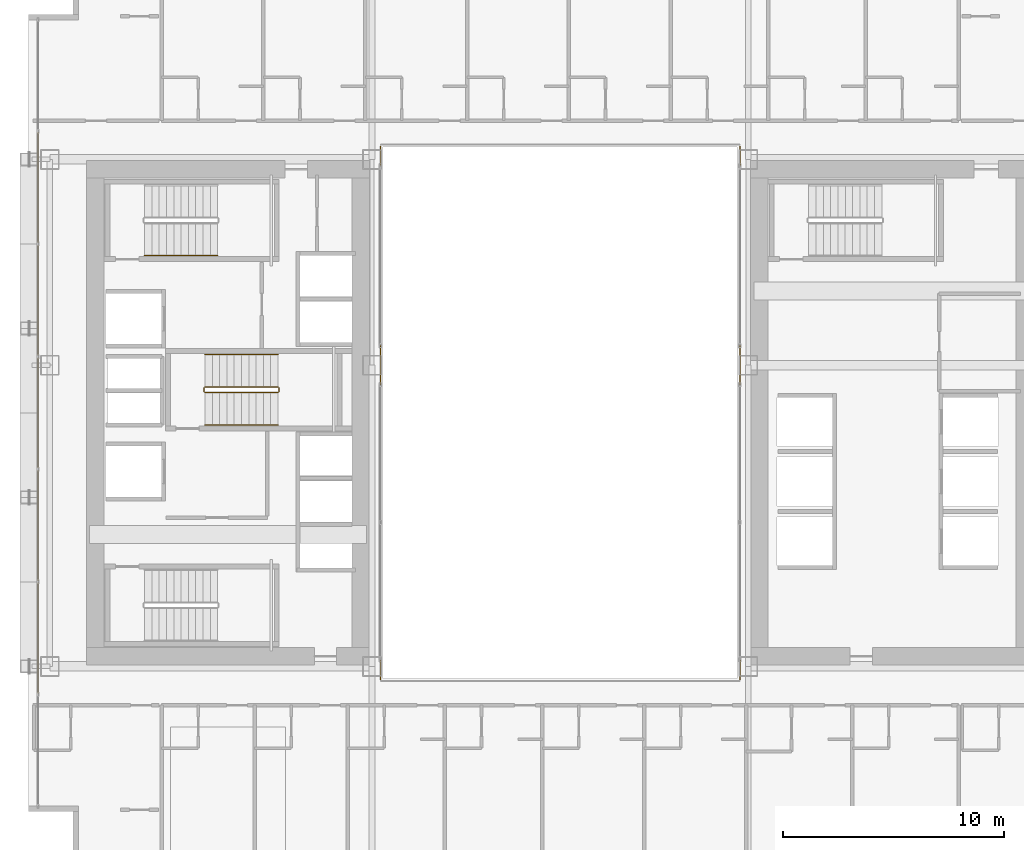
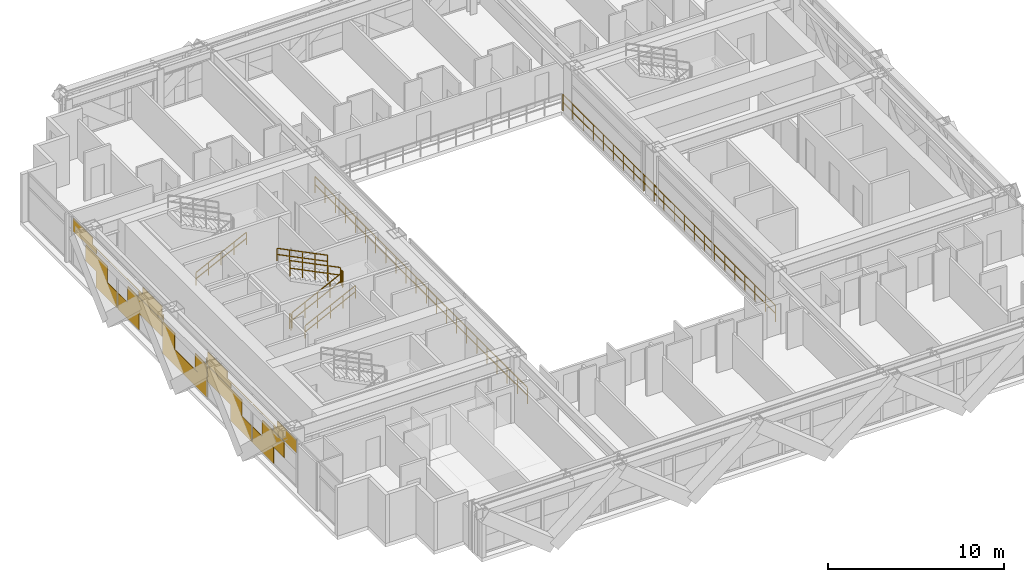
# One storey, part 39 of 41: 9 railings, 1 covering.
"""IFC4 building model written with IfcOpenShell, lengths in metres."""

from ifc_helpers import new_model, si_unit, direction, frame, origin, origin_2d, place, context, subcontext, project, spatial, rectangle, extrude, material, layer, layer_set, type_object, element, save


model = new_model("IFC4")

# Units and contexts
model_context = context("Model", 3, precision=1e-05, world=origin(), true_north=direction((0.0, 1.0)))
body_context = subcontext(model_context, "Body", "Model", "MODEL_VIEW")
ifc_project = project(units=[si_unit("LENGTHUNIT", "METRE"), si_unit("AREAUNIT", "SQUARE_METRE"), si_unit("VOLUMEUNIT", "CUBIC_METRE"), si_unit("PLANEANGLEUNIT", "RADIAN"), si_unit("MASSUNIT", "GRAM", prefix="KILO")], contexts=[model_context])

# Site, building, storey
site_placement = place(None, origin())
site = spatial("IfcSite", under=ifc_project, at=site_placement, CompositionType="ELEMENT")
building_placement = place(site_placement, origin())
building = spatial("IfcBuilding", under=site, at=building_placement, Name="Ocotamira Hotel", CompositionType="ELEMENT")
storey_placement = place(building_placement, frame((0.0, 0.0, 38.39990234375)))
storey = spatial("IfcBuildingStorey", under=building, at=storey_placement, Name="L08", CompositionType="ELEMENT", Elevation=38.39990234375)

# Covering
ifc_material_1 = material(Name="Insulated pale-metal aluminium spandrel panel", Category="aluminium")
ifc_layer = layer(ifc_material_1, 0.044921875)
ifc_layer_set = layer_set([ifc_layer], Name="Insulated pale-metal aluminium spandrel panel")
covering_type = type_object("IfcCoveringType", Name="COV-INFILL-45", PredefinedType="CLADDING", material=ifc_layer_set)
covering_placement = place(storey_placement, origin())
element("IfcCovering", 1, at=covering_placement, inside=storey, type_object=covering_type, Name="L08 Curtain Wall Infill CW-2 CW-L08-W", PredefinedType="CLADDING", context=body_context, shape_type="SweptSolid", body=[
    extrude(rectangle(XDim=2.49658203125, YDim=0.044921875, at=origin_2d()), frame((8.419921875, 15.977783203125, 1.1943359375), z_axis=(0.0, 0.0, 1.0), x_axis=(0.0, 1.0, 0.0)), (0.0, 0.0, 1.0), 1.11767578125),
    extrude(rectangle(XDim=2.415283203125, YDim=0.044921875, at=origin_2d()), frame((8.419921875, 17.123291015625, 0.07568359375), z_axis=(0.0, 0.0, 1.0), x_axis=(0.0, 1.0, 0.0)), (0.0, 0.0, 1.0), 1.11767578125),
    extrude(rectangle(XDim=2.634521484375, YDim=0.044921875, at=origin_2d()), frame((8.419921875, 14.6435546875, 2.38818359375), z_axis=(0.0, 0.0, 1.0), x_axis=(0.0, 1.0, 0.0)), (0.0, 0.0, 1.0), 0.366943359375),
    extrude(rectangle(XDim=5.004638671875, YDim=0.044921875, at=origin_2d()), frame((8.419921875, 15.82861328125, 2.756103515625), z_axis=(0.0, 0.0, 1.0), x_axis=(0.0, 1.0, 0.0)), (0.0, 0.0, 1.0), 0.033203125),
    extrude(rectangle(XDim=2.2080078125, YDim=0.044921875, at=origin_2d()), frame((8.419921875, 14.43017578125, 2.79052734375), z_axis=(0.0, 0.0, 1.0), x_axis=(0.0, 1.0, 0.0)), (0.0, 0.0, 1.0), 0.484130859375),
    extrude(rectangle(XDim=2.40576171875, YDim=0.044921875, at=origin_2d()), frame((8.419921875, 19.61474609375, 0.07568359375), z_axis=(0.0, 0.0, 1.0), x_axis=(0.0, 1.0, 0.0)), (0.0, 0.0, 1.0), 1.11767578125),
    extrude(rectangle(XDim=3.90966796875, YDim=0.044921875, at=origin_2d()), frame((8.419921875, 21.4619140625, 1.1943359375), z_axis=(0.0, 0.0, 1.0), x_axis=(0.0, 1.0, 0.0)), (0.0, 0.0, 1.0), 1.11767578125),
    extrude(rectangle(XDim=5.004638671875, YDim=0.044921875, at=origin_2d()), frame((8.419921875, 20.914306640625, 2.756103515625), z_axis=(0.0, 0.0, 1.0), x_axis=(0.0, 1.0, 0.0)), (0.0, 0.0, 1.0), 0.033203125),
    extrude(rectangle(XDim=2.64404296875, YDim=0.044921875, at=origin_2d()), frame((8.419921875, 22.094482421875, 2.38818359375), z_axis=(0.0, 0.0, 1.0), x_axis=(0.0, 1.0, 0.0)), (0.0, 0.0, 1.0), 0.366943359375),
    extrude(rectangle(XDim=2.217529296875, YDim=0.044921875, at=origin_2d()), frame((8.419921875, 22.307861328125, 2.79052734375), z_axis=(0.0, 0.0, 1.0), x_axis=(0.0, 1.0, 0.0)), (0.0, 0.0, 1.0), 0.484130859375),
    extrude(rectangle(XDim=5.004638671875, YDim=0.044921875, at=origin_2d()), frame((8.419921875, 26.0, 0.07568359375), z_axis=(0.0, 0.0, 1.0), x_axis=(0.0, 1.0, 0.0)), (0.0, 0.0, 1.0), 1.11767578125),
    extrude(rectangle(XDim=1.362060546875, YDim=0.044921875, at=origin_2d()), frame((8.419921875, 24.1787109375, 1.1943359375), z_axis=(0.0, 0.0, 1.0), x_axis=(0.0, 1.0, 0.0)), (0.0, 0.0, 1.0), 1.11767578125),
    extrude(rectangle(XDim=1.362060546875, YDim=0.044921875, at=origin_2d()), frame((8.419921875, 27.8212890625, 1.1943359375), z_axis=(0.0, 0.0, 1.0), x_axis=(0.0, 1.0, 0.0)), (0.0, 0.0, 1.0), 1.11767578125),
    extrude(rectangle(XDim=0.096435546875, YDim=0.044921875, at=origin_2d()), frame((8.419921875, 23.5458984375, 2.387939453125), z_axis=(0.0, 0.0, 1.0), x_axis=(0.0, 1.0, 0.0)), (0.0, 0.0, 1.0), 0.4013671875),
    extrude(rectangle(XDim=0.096435546875, YDim=0.044921875, at=origin_2d()), frame((8.419921875, 28.4541015625, 2.387939453125), z_axis=(0.0, 0.0, 1.0), x_axis=(0.0, 1.0, 0.0)), (0.0, 0.0, 1.0), 0.4013671875),
    extrude(rectangle(XDim=3.90966796875, YDim=0.044921875, at=origin_2d()), frame((8.419921875, 30.5380859375, 1.1943359375), z_axis=(0.0, 0.0, 1.0), x_axis=(0.0, 1.0, 0.0)), (0.0, 0.0, 1.0), 1.11767578125),
    extrude(rectangle(XDim=2.40576171875, YDim=0.044921875, at=origin_2d()), frame((8.419921875, 32.38525390625, 0.07568359375), z_axis=(0.0, 0.0, 1.0), x_axis=(0.0, 1.0, 0.0)), (0.0, 0.0, 1.0), 1.11767578125),
    extrude(rectangle(XDim=2.64404296875, YDim=0.044921875, at=origin_2d()), frame((8.419921875, 29.905517578125, 2.38818359375), z_axis=(0.0, 0.0, 1.0), x_axis=(0.0, 1.0, 0.0)), (0.0, 0.0, 1.0), 0.366943359375),
    extrude(rectangle(XDim=5.004638671875, YDim=0.044921875, at=origin_2d()), frame((8.419921875, 31.085693359375, 2.756103515625), z_axis=(0.0, 0.0, 1.0), x_axis=(0.0, 1.0, 0.0)), (0.0, 0.0, 1.0), 0.033203125),
    extrude(rectangle(XDim=2.217529296875, YDim=0.044921875, at=origin_2d()), frame((8.419921875, 29.692138671875, 2.79052734375), z_axis=(0.0, 0.0, 1.0), x_axis=(0.0, 1.0, 0.0)), (0.0, 0.0, 1.0), 0.484130859375),
    extrude(rectangle(XDim=2.415283203125, YDim=0.044921875, at=origin_2d()), frame((8.419921875, 34.876708984375, 0.07568359375), z_axis=(0.0, 0.0, 1.0), x_axis=(0.0, 1.0, 0.0)), (0.0, 0.0, 1.0), 1.11767578125),
    extrude(rectangle(XDim=2.49658203125, YDim=0.044921875, at=origin_2d()), frame((8.419921875, 36.022216796875, 1.1943359375), z_axis=(0.0, 0.0, 1.0), x_axis=(0.0, 1.0, 0.0)), (0.0, 0.0, 1.0), 1.11767578125),
    extrude(rectangle(XDim=5.004638671875, YDim=0.044921875, at=origin_2d()), frame((8.419921875, 36.17138671875, 2.756103515625), z_axis=(0.0, 0.0, 1.0), x_axis=(0.0, 1.0, 0.0)), (0.0, 0.0, 1.0), 0.033203125),
    extrude(rectangle(XDim=2.634521484375, YDim=0.044921875, at=origin_2d()), frame((8.419921875, 37.3564453125, 2.38818359375), z_axis=(0.0, 0.0, 1.0), x_axis=(0.0, 1.0, 0.0)), (0.0, 0.0, 1.0), 0.366943359375),
    extrude(rectangle(XDim=2.2080078125, YDim=0.044921875, at=origin_2d()), frame((8.419921875, 37.56982421875, 2.79052734375), z_axis=(0.0, 0.0, 1.0), x_axis=(0.0, 1.0, 0.0)), (0.0, 0.0, 1.0), 0.484130859375),
])

# Railings
ifc_material_2 = material(Name="Painted steel stair guardrail", Category="steel")
railing_type_1 = type_object("IfcRailingType", Name="RL-EDGE-1150", PredefinedType="GUARDRAIL", material=ifc_material_2)
railing_1_placement = place(storey_placement, frame((40.1201171875, 13.9599609375, 0.0)))
element("IfcRailing", 2, at=railing_1_placement, inside=storey, type_object=railing_type_1, Name="L08 Central Atrium Edge Guardrail E", PredefinedType="GUARDRAIL", context=body_context, shape_type="SweptSolid", body=[
    extrude(rectangle(XDim=0.048095703125, YDim=0.048095703125, at=origin_2d()), frame((0.0, 0.0, 1.1259765625), z_axis=(0.0, 1.0, 0.0), x_axis=(-1.0, 0.0, 0.0)), (0.0, 0.0, 1.0), 24.080078125),
    extrude(rectangle(XDim=0.048095703125, YDim=0.048095703125, at=origin_2d()), frame((0.0, 0.0, 0.574951171875), z_axis=(0.0, 1.0, 0.0), x_axis=(-1.0, 0.0, 0.0)), (0.0, 0.0, 1.0), 24.080078125),
    extrude(rectangle(XDim=0.0419921875, YDim=0.0419921875, at=origin_2d()), origin(), (0.0, 0.0, 1.0), 1.101806640625),
    extrude(rectangle(XDim=0.0419921875, YDim=0.0419921875, at=origin_2d()), frame((0.0, 1.146728515625, 0.0)), (0.0, 0.0, 1.0), 1.101806640625),
    extrude(rectangle(XDim=0.0419921875, YDim=0.0419921875, at=origin_2d()), frame((0.0, 2.29345703125, 0.0)), (0.0, 0.0, 1.0), 1.101806640625),
    extrude(rectangle(XDim=0.0419921875, YDim=0.0419921875, at=origin_2d()), frame((0.0, 3.43994140625, 0.0)), (0.0, 0.0, 1.0), 1.101806640625),
    extrude(rectangle(XDim=0.0419921875, YDim=0.0419921875, at=origin_2d()), frame((0.0, 4.586669921875, 0.0)), (0.0, 0.0, 1.0), 1.101806640625),
    extrude(rectangle(XDim=0.0419921875, YDim=0.0419921875, at=origin_2d()), frame((0.0, 5.7333984375, 0.0)), (0.0, 0.0, 1.0), 1.101806640625),
    extrude(rectangle(XDim=0.0419921875, YDim=0.0419921875, at=origin_2d()), frame((0.0, 6.880126953125, 0.0)), (0.0, 0.0, 1.0), 1.101806640625),
    extrude(rectangle(XDim=0.0419921875, YDim=0.0419921875, at=origin_2d()), frame((0.0, 8.026611328125, 0.0)), (0.0, 0.0, 1.0), 1.101806640625),
    extrude(rectangle(XDim=0.0419921875, YDim=0.0419921875, at=origin_2d()), frame((0.0, 9.17333984375, 0.0)), (0.0, 0.0, 1.0), 1.101806640625),
    extrude(rectangle(XDim=0.0419921875, YDim=0.0419921875, at=origin_2d()), frame((0.0, 10.320068359375, 0.0)), (0.0, 0.0, 1.0), 1.101806640625),
    extrude(rectangle(XDim=0.0419921875, YDim=0.0419921875, at=origin_2d()), frame((0.0, 11.466796875, 0.0)), (0.0, 0.0, 1.0), 1.101806640625),
    extrude(rectangle(XDim=0.0419921875, YDim=0.0419921875, at=origin_2d()), frame((0.0, 12.61328125, 0.0)), (0.0, 0.0, 1.0), 1.101806640625),
    extrude(rectangle(XDim=0.0419921875, YDim=0.0419921875, at=origin_2d()), frame((0.0, 13.760009765625, 0.0)), (0.0, 0.0, 1.0), 1.101806640625),
    extrude(rectangle(XDim=0.0419921875, YDim=0.0419921875, at=origin_2d()), frame((0.0, 14.90673828125, 0.0)), (0.0, 0.0, 1.0), 1.101806640625),
    extrude(rectangle(XDim=0.0419921875, YDim=0.0419921875, at=origin_2d()), frame((0.0, 16.053466796875, 0.0)), (0.0, 0.0, 1.0), 1.101806640625),
    extrude(rectangle(XDim=0.0419921875, YDim=0.0419921875, at=origin_2d()), frame((0.0, 17.199951171875, 0.0)), (0.0, 0.0, 1.0), 1.101806640625),
    extrude(rectangle(XDim=0.0419921875, YDim=0.0419921875, at=origin_2d()), frame((0.0, 18.3466796875, 0.0)), (0.0, 0.0, 1.0), 1.101806640625),
    extrude(rectangle(XDim=0.0419921875, YDim=0.0419921875, at=origin_2d()), frame((0.0, 19.493408203125, 0.0)), (0.0, 0.0, 1.0), 1.101806640625),
    extrude(rectangle(XDim=0.0419921875, YDim=0.0419921875, at=origin_2d()), frame((0.0, 20.64013671875, 0.0)), (0.0, 0.0, 1.0), 1.101806640625),
    extrude(rectangle(XDim=0.0419921875, YDim=0.0419921875, at=origin_2d()), frame((0.0, 21.78662109375, 0.0)), (0.0, 0.0, 1.0), 1.101806640625),
    extrude(rectangle(XDim=0.0419921875, YDim=0.0419921875, at=origin_2d()), frame((0.0, 22.933349609375, 0.0)), (0.0, 0.0, 1.0), 1.101806640625),
    extrude(rectangle(XDim=0.0419921875, YDim=0.0419921875, at=origin_2d()), frame((0.0, 24.080078125, 0.0)), (0.0, 0.0, 1.0), 1.101806640625),
])
railing_2_placement = place(storey_placement, frame((23.8798828125, 38.0400390625, 0.0)))
element("IfcRailing", 3, at=railing_2_placement, inside=storey, type_object=railing_type_1, Name="L08 Central Atrium Edge Guardrail W", PredefinedType="GUARDRAIL", context=body_context, shape_type="SweptSolid", body=[
    extrude(rectangle(XDim=0.048095703125, YDim=0.048095703125, at=origin_2d()), frame((0.0, 0.0, 1.1259765625), z_axis=(0.0, -1.0, 0.0), x_axis=(1.0, 0.0, 0.0)), (0.0, 0.0, 1.0), 24.080078125),
    extrude(rectangle(XDim=0.048095703125, YDim=0.048095703125, at=origin_2d()), frame((0.0, 0.0, 0.574951171875), z_axis=(0.0, -1.0, 0.0), x_axis=(1.0, 0.0, 0.0)), (0.0, 0.0, 1.0), 24.080078125),
    extrude(rectangle(XDim=0.0419921875, YDim=0.0419921875, at=origin_2d()), origin(), (0.0, 0.0, 1.0), 1.101806640625),
    extrude(rectangle(XDim=0.0419921875, YDim=0.0419921875, at=origin_2d()), frame((0.0, -1.146728515625, 0.0)), (0.0, 0.0, 1.0), 1.101806640625),
    extrude(rectangle(XDim=0.0419921875, YDim=0.0419921875, at=origin_2d()), frame((0.0, -2.29345703125, 0.0)), (0.0, 0.0, 1.0), 1.101806640625),
    extrude(rectangle(XDim=0.0419921875, YDim=0.0419921875, at=origin_2d()), frame((0.0, -3.43994140625, 0.0)), (0.0, 0.0, 1.0), 1.101806640625),
    extrude(rectangle(XDim=0.0419921875, YDim=0.0419921875, at=origin_2d()), frame((0.0, -4.586669921875, 0.0)), (0.0, 0.0, 1.0), 1.101806640625),
    extrude(rectangle(XDim=0.0419921875, YDim=0.0419921875, at=origin_2d()), frame((0.0, -5.7333984375, 0.0)), (0.0, 0.0, 1.0), 1.101806640625),
    extrude(rectangle(XDim=0.0419921875, YDim=0.0419921875, at=origin_2d()), frame((0.0, -6.880126953125, 0.0)), (0.0, 0.0, 1.0), 1.101806640625),
    extrude(rectangle(XDim=0.0419921875, YDim=0.0419921875, at=origin_2d()), frame((0.0, -8.026611328125, 0.0)), (0.0, 0.0, 1.0), 1.101806640625),
    extrude(rectangle(XDim=0.0419921875, YDim=0.0419921875, at=origin_2d()), frame((0.0, -9.17333984375, 0.0)), (0.0, 0.0, 1.0), 1.101806640625),
    extrude(rectangle(XDim=0.0419921875, YDim=0.0419921875, at=origin_2d()), frame((0.0, -10.320068359375, 0.0)), (0.0, 0.0, 1.0), 1.101806640625),
    extrude(rectangle(XDim=0.0419921875, YDim=0.0419921875, at=origin_2d()), frame((0.0, -11.466796875, 0.0)), (0.0, 0.0, 1.0), 1.101806640625),
    extrude(rectangle(XDim=0.0419921875, YDim=0.0419921875, at=origin_2d()), frame((0.0, -12.61328125, 0.0)), (0.0, 0.0, 1.0), 1.101806640625),
    extrude(rectangle(XDim=0.0419921875, YDim=0.0419921875, at=origin_2d()), frame((0.0, -13.760009765625, 0.0)), (0.0, 0.0, 1.0), 1.101806640625),
    extrude(rectangle(XDim=0.0419921875, YDim=0.0419921875, at=origin_2d()), frame((0.0, -14.90673828125, 0.0)), (0.0, 0.0, 1.0), 1.101806640625),
    extrude(rectangle(XDim=0.0419921875, YDim=0.0419921875, at=origin_2d()), frame((0.0, -16.053466796875, 0.0)), (0.0, 0.0, 1.0), 1.101806640625),
    extrude(rectangle(XDim=0.0419921875, YDim=0.0419921875, at=origin_2d()), frame((0.0, -17.199951171875, 0.0)), (0.0, 0.0, 1.0), 1.101806640625),
    extrude(rectangle(XDim=0.0419921875, YDim=0.0419921875, at=origin_2d()), frame((0.0, -18.3466796875, 0.0)), (0.0, 0.0, 1.0), 1.101806640625),
    extrude(rectangle(XDim=0.0419921875, YDim=0.0419921875, at=origin_2d()), frame((0.0, -19.493408203125, 0.0)), (0.0, 0.0, 1.0), 1.101806640625),
    extrude(rectangle(XDim=0.0419921875, YDim=0.0419921875, at=origin_2d()), frame((0.0, -20.64013671875, 0.0)), (0.0, 0.0, 1.0), 1.101806640625),
    extrude(rectangle(XDim=0.0419921875, YDim=0.0419921875, at=origin_2d()), frame((0.0, -21.78662109375, 0.0)), (0.0, 0.0, 1.0), 1.101806640625),
    extrude(rectangle(XDim=0.0419921875, YDim=0.0419921875, at=origin_2d()), frame((0.0, -22.933349609375, 0.0)), (0.0, 0.0, 1.0), 1.101806640625),
    extrude(rectangle(XDim=0.0419921875, YDim=0.0419921875, at=origin_2d()), frame((0.0, -24.080078125, 0.0)), (0.0, 0.0, 1.0), 1.101806640625),
])
ifc_material_3 = material(Name="Brushed stainless steel handrail", Category="steel")
railing_type_2 = type_object("IfcRailingType", Name="RL-HAND-900", PredefinedType="HANDRAIL", material=ifc_material_3)
for number, where, name in (
    (4, (13.22998046875, 33.10009765625, 0.327392578125), "L08 ST-2 stair handrail 1"),
    (5, (15.9599609375, 25.449951171875, 0.327392578125), "L08 ST-3 stair handrail 1"),
):
    element("IfcRailing", number, at=place(storey_placement, frame(where)), inside=storey, type_object=railing_type_2, Name=name, PredefinedType="HANDRAIL", context=body_context, shape_type="SweptSolid", body=[
        extrude(rectangle(XDim=0.048095703125, YDim=0.048095703125, at=origin_2d()), frame((0.0, 0.0, 0.8759765625), z_axis=(0.895920123917, 0.0, 0.444215186098), x_axis=(0.0, 1.0, 0.0)), (0.0, 0.0, 1.0), 3.683349609375),
        extrude(rectangle(XDim=0.048095703125, YDim=0.048095703125, at=origin_2d()), frame((0.0, 0.0, 0.449951171875), z_axis=(0.895920123917, 0.0, 0.444215186098), x_axis=(0.0, 1.0, 0.0)), (0.0, 0.0, 1.0), 3.683349609375),
        extrude(rectangle(XDim=0.0419921875, YDim=0.0419921875, at=origin_2d()), origin(), (0.0, 0.0, 1.0), 0.851806640625),
        extrude(rectangle(XDim=0.0419921875, YDim=0.0419921875, at=origin_2d()), frame((0.824951171875, 0.0, 0.4091796875)), (0.0, 0.0, 1.0), 0.851806640625),
        extrude(rectangle(XDim=0.0419921875, YDim=0.0419921875, at=origin_2d()), frame((1.64990234375, 0.0, 0.818115234375)), (0.0, 0.0, 1.0), 0.851806640625),
        extrude(rectangle(XDim=0.0419921875, YDim=0.0419921875, at=origin_2d()), frame((2.47509765625, 0.0, 1.22705078125)), (0.0, 0.0, 1.0), 0.851806640625),
        extrude(rectangle(XDim=0.0419921875, YDim=0.0419921875, at=origin_2d()), frame((3.300048828125, 0.0, 1.63623046875)), (0.0, 0.0, 1.0), 0.851806640625),
    ])
railing_3_placement = place(storey_placement, frame((19.260009765625, 28.6298828125, 2.12744140625)))
element("IfcRailing", 6, at=railing_3_placement, inside=storey, type_object=railing_type_2, Name="L08 ST-3 stair handrail 2", PredefinedType="HANDRAIL", context=body_context, shape_type="SweptSolid", body=[
    extrude(rectangle(XDim=0.048095703125, YDim=0.048095703125, at=origin_2d()), frame((0.0, 0.0, 0.8759765625), z_axis=(-0.895920123917, 0.0, 0.444215186098), x_axis=(0.0, -1.0, 0.0)), (0.0, 0.0, 1.0), 3.683349609375),
    extrude(rectangle(XDim=0.048095703125, YDim=0.048095703125, at=origin_2d()), frame((0.0, 0.0, 0.449951171875), z_axis=(-0.895920123917, 0.0, 0.444215186098), x_axis=(0.0, -1.0, 0.0)), (0.0, 0.0, 1.0), 3.683349609375),
    extrude(rectangle(XDim=0.0419921875, YDim=0.0419921875, at=origin_2d()), origin(), (0.0, 0.0, 1.0), 0.851806640625),
    extrude(rectangle(XDim=0.0419921875, YDim=0.0419921875, at=origin_2d()), frame((-0.824951171875, 0.0, 0.4091796875)), (0.0, 0.0, 1.0), 0.851806640625),
    extrude(rectangle(XDim=0.0419921875, YDim=0.0419921875, at=origin_2d()), frame((-1.64990234375, 0.0, 0.818115234375)), (0.0, 0.0, 1.0), 0.851806640625),
    extrude(rectangle(XDim=0.0419921875, YDim=0.0419921875, at=origin_2d()), frame((-2.47509765625, 0.0, 1.22705078125)), (0.0, 0.0, 1.0), 0.851806640625),
    extrude(rectangle(XDim=0.0419921875, YDim=0.0419921875, at=origin_2d()), frame((-3.300048828125, 0.0, 1.63623046875)), (0.0, 0.0, 1.0), 0.851806640625),
])
railing_type_3 = type_object("IfcRailingType", Name="RL-STAIR-1100", PredefinedType="GUARDRAIL", material=ifc_material_2)
railing_4_placement = place(storey_placement, frame((15.9599609375, 26.909912109375, 0.163818359375)))
element("IfcRailing", 7, at=railing_4_placement, inside=storey, type_object=railing_type_3, Name="L08 ST-3 stair guard 1", PredefinedType="GUARDRAIL", context=body_context, shape_type="SweptSolid", body=[
    extrude(rectangle(XDim=0.048095703125, YDim=0.048095703125, at=origin_2d()), frame((0.0, 0.0, 1.076171875), z_axis=(0.895920123917, 0.0, 0.444215186098), x_axis=(0.0, 1.0, 0.0)), (0.0, 0.0, 1.0), 3.683349609375),
    extrude(rectangle(XDim=0.048095703125, YDim=0.048095703125, at=origin_2d()), frame((0.0, 0.0, 0.550048828125), z_axis=(0.895920123917, 0.0, 0.444215186098), x_axis=(0.0, 1.0, 0.0)), (0.0, 0.0, 1.0), 3.683349609375),
    extrude(rectangle(XDim=0.0419921875, YDim=0.0419921875, at=origin_2d()), origin(), (0.0, 0.0, 1.0), 1.052001953125),
    extrude(rectangle(XDim=0.0419921875, YDim=0.0419921875, at=origin_2d()), frame((0.824951171875, 0.0, 0.4091796875)), (0.0, 0.0, 1.0), 1.052001953125),
    extrude(rectangle(XDim=0.0419921875, YDim=0.0419921875, at=origin_2d()), frame((1.64990234375, 0.0, 0.818115234375)), (0.0, 0.0, 1.0), 1.052001953125),
    extrude(rectangle(XDim=0.0419921875, YDim=0.0419921875, at=origin_2d()), frame((2.47509765625, 0.0, 1.22705078125)), (0.0, 0.0, 1.0), 1.052001953125),
    extrude(rectangle(XDim=0.0419921875, YDim=0.0419921875, at=origin_2d()), frame((3.300048828125, 0.0, 1.63623046875)), (0.0, 0.0, 1.0), 1.052001953125),
])
railing_5_placement = place(storey_placement, frame((19.31005859375, 26.9599609375, 1.800048828125)))
element("IfcRailing", 8, at=railing_5_placement, inside=storey, type_object=railing_type_3, Name="L08 ST-3 stair guard 2", PredefinedType="GUARDRAIL", context=body_context, shape_type="SweptSolid", body=[
    extrude(rectangle(XDim=0.048095703125, YDim=0.048095703125, at=origin_2d()), frame((0.0, 0.0, 1.076171875), z_axis=(0.0, 1.0, 0.0), x_axis=(-1.0, 0.0, 0.0)), (0.0, 0.0, 1.0), 0.16015625),
    extrude(rectangle(XDim=0.048095703125, YDim=0.048095703125, at=origin_2d()), frame((0.0, 0.0, 0.550048828125), z_axis=(0.0, 1.0, 0.0), x_axis=(-1.0, 0.0, 0.0)), (0.0, 0.0, 1.0), 0.16015625),
    extrude(rectangle(XDim=0.0419921875, YDim=0.0419921875, at=origin_2d()), origin(), (0.0, 0.0, 1.0), 1.052001953125),
    extrude(rectangle(XDim=0.0419921875, YDim=0.0419921875, at=origin_2d()), frame((0.0, 0.16015625, 0.0)), (0.0, 0.0, 1.0), 1.052001953125),
])
railing_6_placement = place(storey_placement, frame((19.260009765625, 27.169921875, 1.963623046875)))
element("IfcRailing", 9, at=railing_6_placement, inside=storey, type_object=railing_type_3, Name="L08 ST-3 stair guard 3", PredefinedType="GUARDRAIL", context=body_context, shape_type="SweptSolid", body=[
    extrude(rectangle(XDim=0.048095703125, YDim=0.048095703125, at=origin_2d()), frame((0.0, 0.0, 1.076171875), z_axis=(-0.895893744519, 0.0, 0.4442683857), x_axis=(0.0, -1.0, 0.0)), (0.0, 0.0, 1.0), 3.68359375),
    extrude(rectangle(XDim=0.048095703125, YDim=0.048095703125, at=origin_2d()), frame((0.0, 0.0, 0.550048828125), z_axis=(-0.895893744519, 0.0, 0.4442683857), x_axis=(0.0, -1.0, 0.0)), (0.0, 0.0, 1.0), 3.68359375),
    extrude(rectangle(XDim=0.0419921875, YDim=0.0419921875, at=origin_2d()), origin(), (0.0, 0.0, 1.0), 1.052001953125),
    extrude(rectangle(XDim=0.0419921875, YDim=0.0419921875, at=origin_2d()), frame((-0.824951171875, 0.0, 0.4091796875)), (0.0, 0.0, 1.0), 1.052001953125),
    extrude(rectangle(XDim=0.0419921875, YDim=0.0419921875, at=origin_2d()), frame((-1.64990234375, 0.0, 0.818359375)), (0.0, 0.0, 1.0), 1.052001953125),
    extrude(rectangle(XDim=0.0419921875, YDim=0.0419921875, at=origin_2d()), frame((-2.47509765625, 0.0, 1.227294921875)), (0.0, 0.0, 1.0), 1.052001953125),
    extrude(rectangle(XDim=0.0419921875, YDim=0.0419921875, at=origin_2d()), frame((-3.300048828125, 0.0, 1.636474609375)), (0.0, 0.0, 1.0), 1.052001953125),
])
railing_7_placement = place(storey_placement, frame((15.909912109375, 26.9599609375, 0.0)))
element("IfcRailing", 10, at=railing_7_placement, inside=storey, type_object=railing_type_3, Name="L08 ST-3 stair guard 4", PredefinedType="GUARDRAIL", context=body_context, shape_type="SweptSolid", body=[
    extrude(rectangle(XDim=0.048095703125, YDim=0.048095703125, at=origin_2d()), frame((0.0, 0.0, 1.076171875), z_axis=(0.0, 1.0, 0.0), x_axis=(-1.0, 0.0, 0.0)), (0.0, 0.0, 1.0), 0.16015625),
    extrude(rectangle(XDim=0.048095703125, YDim=0.048095703125, at=origin_2d()), frame((0.0, 0.0, 0.550048828125), z_axis=(0.0, 1.0, 0.0), x_axis=(-1.0, 0.0, 0.0)), (0.0, 0.0, 1.0), 0.16015625),
    extrude(rectangle(XDim=0.0419921875, YDim=0.0419921875, at=origin_2d()), origin(), (0.0, 0.0, 1.0), 1.052001953125),
    extrude(rectangle(XDim=0.0419921875, YDim=0.0419921875, at=origin_2d()), frame((0.0, 0.16015625, 0.0)), (0.0, 0.0, 1.0), 1.052001953125),
])

save(model, "model.ifc")
